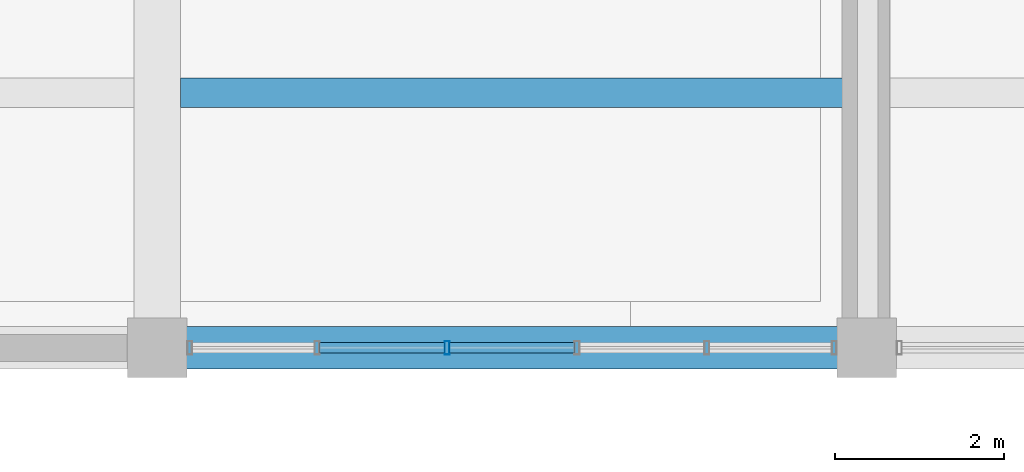
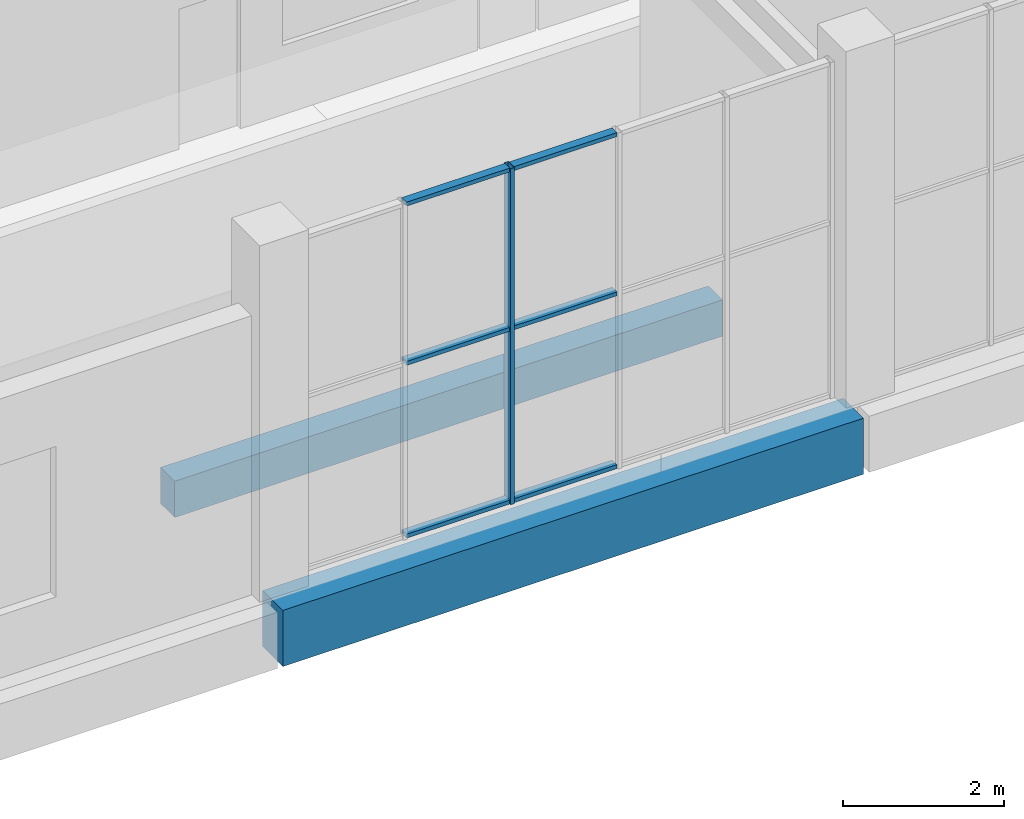
# One storey, part 46 of 91: 7 members, 2 beams, 1 element without a shape of its own.
"""IFC4 building model written with IfcOpenShell, lengths in metres."""

from ifc_helpers import new_model, si_unit, direction, frame, origin, origin_2d, place, context, subcontext, project, spatial, rectangle, hollow_rectangle, extrude, material, material_profile, profile_set, type_object, element, aggregate, save


model = new_model("IFC4")

# Units and contexts
model_context = context("Model", 3, precision=1e-05, world=origin(), true_north=direction((0.0, 1.0)))
body_context = subcontext(model_context, "Body", "Model", "MODEL_VIEW")
ifc_project = project(units=[si_unit("LENGTHUNIT", "METRE"), si_unit("AREAUNIT", "SQUARE_METRE"), si_unit("VOLUMEUNIT", "CUBIC_METRE"), si_unit("PLANEANGLEUNIT", "RADIAN"), si_unit("MASSUNIT", "GRAM", prefix="KILO")], contexts=[model_context])

# Site, building, storey
site_placement = place(None, origin())
site = spatial("IfcSite", under=ifc_project, at=site_placement, CompositionType="ELEMENT")
building_placement = place(site_placement, origin())
building = spatial("IfcBuilding", under=site, at=building_placement, Name="Khurvash Pelagic Aquarium", CompositionType="ELEMENT")
storey_placement = place(building_placement, origin())
storey = spatial("IfcBuildingStorey", under=building, at=storey_placement, Name="L00", CompositionType="ELEMENT", Elevation=0.0)

# Curtain wall, members
ifc_material_1 = material(Name="Anodised aluminium and low-E laminated glass", Category="aluminium")
curtain_wall_type = type_object("IfcCurtainWallType", Name="CW-02", PredefinedType="USERDEFINED", material=ifc_material_1)
curtain_wall_placement = place(storey_placement, origin())
curtain_wall = element("IfcCurtainWall", 1, at=curtain_wall_placement, inside=storey, type_object=curtain_wall_type, Name="L00 Facade Unitised Curtain Wall CW-02 0084", ObjectType="UNITISED CURTAIN WALL", PredefinedType="USERDEFINED")
ifc_material_2 = material(Name="Extruded aluminium AW-6063-T6", Category="aluminium")
ifc_material_profile_1 = material_profile(ifc_material_2, hollow_rectangle(XDim=0.06005859375, YDim=0.159912109375, WallThickness=0.00390625, at=origin_2d()), Name="CWM60X160X4")
ifc_profile_set_1 = profile_set([ifc_material_profile_1], Name="Extruded aluminium AW-6063-T6")
member_type_1 = type_object("IfcMemberType", Name="CM-02", PredefinedType="MULLION", material=ifc_profile_set_1)
member_1_placement = place(storey_placement, frame((79.031005859375, 84.050048828125, 0.0), z_axis=(0.0, 0.0, 1.0), x_axis=(1.0, 0.0, 0.0)))
member_1 = element("IfcMember", 2, at=member_1_placement, type_object=member_type_1, Name="CW-02 mullion 3", PredefinedType="MULLION", context=body_context, shape_type="SweptSolid", body=[
    extrude(hollow_rectangle(XDim=0.06005859375, YDim=0.159912109375, WallThickness=0.00390625, at=origin_2d()), origin(), (0.0, 0.0, 1.0), 5.090087890625),
])
ifc_material_profile_2 = material_profile(ifc_material_2, hollow_rectangle(XDim=0.1201171875, YDim=0.06005859375, WallThickness=0.00390625, at=origin_2d()), Name="CWT120X60X4")
ifc_profile_set_2 = profile_set([ifc_material_profile_2], Name="Extruded aluminium AW-6063-T6")
member_type_2 = type_object("IfcMemberType", Name="CT-02", PredefinedType="USERDEFINED", material=ifc_profile_set_2)
member_2_placement = place(storey_placement, frame((77.52294921875, 84.050048828125, 0.030029296875), z_axis=(1.0, 0.0, 0.0), x_axis=(0.0, 1.0, 0.0)))
member_2 = element("IfcMember", 3, at=member_2_placement, type_object=member_type_2, Name="CW-02 transom 2.1", ObjectType="TRANSOM", PredefinedType="USERDEFINED", context=body_context, shape_type="SweptSolid", body=[
    extrude(hollow_rectangle(XDim=0.1201171875, YDim=0.06005859375, WallThickness=0.00390625, at=origin_2d()), origin(), (0.0, 0.0, 1.0), 1.47802734375),
])
member_3_placement = place(storey_placement, frame((77.52294921875, 84.050048828125, 2.64697265625), z_axis=(1.0, 0.0, 0.0), x_axis=(0.0, 1.0, 0.0)))
member_3 = element("IfcMember", 4, at=member_3_placement, type_object=member_type_2, Name="CW-02 transom 2.2", ObjectType="TRANSOM", PredefinedType="USERDEFINED", context=body_context, shape_type="SweptSolid", body=[
    extrude(hollow_rectangle(XDim=0.1201171875, YDim=0.06005859375, WallThickness=0.00390625, at=origin_2d()), origin(), (0.0, 0.0, 1.0), 1.47802734375),
])
member_4_placement = place(storey_placement, frame((77.52294921875, 84.050048828125, 5.06005859375), z_axis=(1.0, 0.0, 0.0), x_axis=(0.0, 1.0, 0.0)))
member_4 = element("IfcMember", 5, at=member_4_placement, type_object=member_type_2, Name="CW-02 transom 2.3", ObjectType="TRANSOM", PredefinedType="USERDEFINED", context=body_context, shape_type="SweptSolid", body=[
    extrude(hollow_rectangle(XDim=0.1201171875, YDim=0.06005859375, WallThickness=0.00390625, at=origin_2d()), origin(), (0.0, 0.0, 1.0), 1.47802734375),
])
member_5_placement = place(storey_placement, frame((79.06103515625, 84.050048828125, 0.030029296875), z_axis=(1.0, 0.0, 0.0), x_axis=(0.0, 1.0, 0.0)))
member_5 = element("IfcMember", 6, at=member_5_placement, type_object=member_type_2, Name="CW-02 transom 3.1", ObjectType="TRANSOM", PredefinedType="USERDEFINED", context=body_context, shape_type="SweptSolid", body=[
    extrude(hollow_rectangle(XDim=0.1201171875, YDim=0.06005859375, WallThickness=0.00390625, at=origin_2d()), origin(), (0.0, 0.0, 1.0), 1.47802734375),
])
member_6_placement = place(storey_placement, frame((79.06103515625, 84.050048828125, 2.64697265625), z_axis=(1.0, 0.0, 0.0), x_axis=(0.0, 1.0, 0.0)))
member_6 = element("IfcMember", 7, at=member_6_placement, type_object=member_type_2, Name="CW-02 transom 3.2", ObjectType="TRANSOM", PredefinedType="USERDEFINED", context=body_context, shape_type="SweptSolid", body=[
    extrude(hollow_rectangle(XDim=0.1201171875, YDim=0.06005859375, WallThickness=0.00390625, at=origin_2d()), origin(), (0.0, 0.0, 1.0), 1.47802734375),
])
member_7_placement = place(storey_placement, frame((79.06103515625, 84.050048828125, 5.06005859375), z_axis=(1.0, 0.0, 0.0), x_axis=(0.0, 1.0, 0.0)))
member_7 = element("IfcMember", 8, at=member_7_placement, type_object=member_type_2, Name="CW-02 transom 3.3", ObjectType="TRANSOM", PredefinedType="USERDEFINED", context=body_context, shape_type="SweptSolid", body=[
    extrude(hollow_rectangle(XDim=0.1201171875, YDim=0.06005859375, WallThickness=0.00390625, at=origin_2d()), origin(), (0.0, 0.0, 1.0), 1.47802734375),
])
aggregate(curtain_wall, [member_1, member_2, member_3, member_4, member_5, member_6, member_7])

# Beams
ifc_material_3 = material(Name="Concrete C35/45", Category="concrete")
ifc_material_profile_3 = material_profile(ifc_material_3, rectangle(XDim=0.35009765625, YDim=0.550048828125, at=origin_2d()), Name="RC350X550")
ifc_profile_set_3 = profile_set([ifc_material_profile_3], Name="Concrete C35/45")
beam_type_1 = type_object("IfcBeamType", Name="JS-01", PredefinedType="JOIST", material=ifc_profile_set_3)
beam_1_placement = place(storey_placement, frame((75.875, 87.06689453125, -0.594970703125), z_axis=(1.0, 0.0, 0.0), x_axis=(0.0, 1.0, 0.0)))
element("IfcBeam", 9, at=beam_1_placement, inside=storey, type_object=beam_type_1, Name="L00 Floor Joist JS-01 00205", PredefinedType="JOIST", context=body_context, shape_type="SweptSolid", body=[
    extrude(rectangle(XDim=0.35009765625, YDim=0.550048828125, at=origin_2d()), origin(), (0.0, 0.0, 1.0), 7.85009765625),
])
ifc_material_4 = material(Name="Concrete C40/50", Category="concrete")
ifc_material_profile_4 = material_profile(ifc_material_4, rectangle(XDim=0.5, YDim=0.85009765625, at=origin_2d()), Name="RC500X850")
ifc_profile_set_4 = profile_set([ifc_material_profile_4], Name="Concrete C40/50")
beam_type_2 = type_object("IfcBeamType", Name="SEB-03", PredefinedType="SPANDREL", material=ifc_profile_set_4)
beam_2_placement = place(storey_placement, frame((75.639892578125, 84.050048828125, -0.7451171875), z_axis=(1.0, 0.0, 0.0), x_axis=(0.0, 1.0, 0.0)))
element("IfcBeam", 10, at=beam_2_placement, inside=storey, type_object=beam_type_2, Name="L00 Primary Girder SEB-03 00052", PredefinedType="SPANDREL", context=body_context, shape_type="SweptSolid", body=[
    extrude(rectangle(XDim=0.5, YDim=0.85009765625, at=origin_2d()), origin(), (0.0, 0.0, 1.0), 8.320068359375),
])

save(model, "model.ifc")
